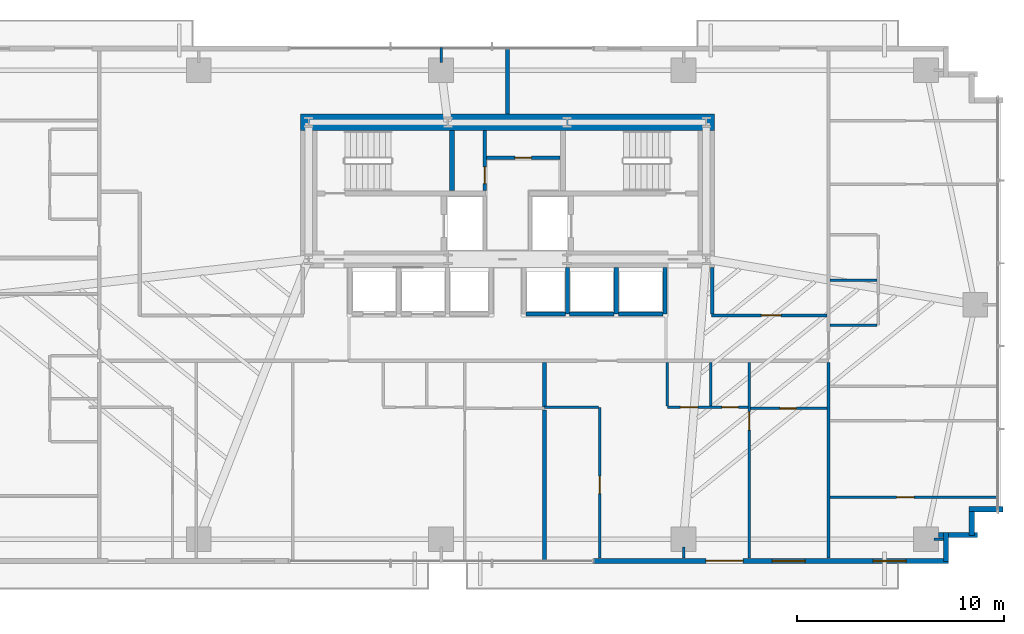
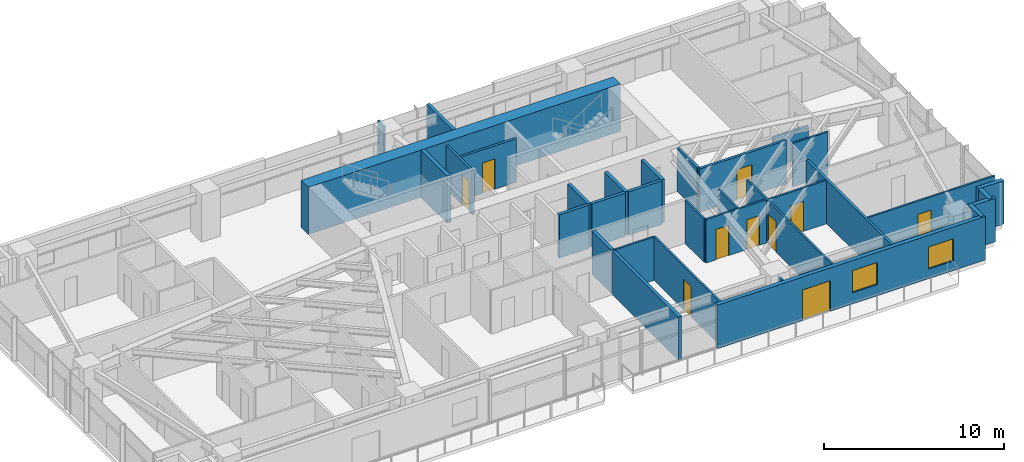
# One storey, part 21 of 25: 34 walls, 10 doors, 2 windows, 12 openings.
"""IFC4 building model written with IfcOpenShell, lengths in metres."""

from ifc_helpers import new_model, si_unit, direction, frame, frame_2d, origin, place, context, subcontext, project, spatial, rectangle, extrude, source, transform, mapped, material, layer, layer_set, type_object, type_shapes, element, fill, save


model = new_model("IFC4")

# Units and contexts
model_context = context("Model", 3, precision=1e-05, world=origin(), true_north=direction((0.0, 1.0)))
body_context = subcontext(model_context, "Body", "Model", "MODEL_VIEW")
ifc_project = project(units=[si_unit("LENGTHUNIT", "METRE"), si_unit("AREAUNIT", "SQUARE_METRE"), si_unit("VOLUMEUNIT", "CUBIC_METRE"), si_unit("PLANEANGLEUNIT", "RADIAN"), si_unit("MASSUNIT", "GRAM", prefix="KILO")], contexts=[model_context])

# Site, building, storey
site_placement = place(None, origin())
site = spatial("IfcSite", under=ifc_project, at=site_placement, CompositionType="ELEMENT")
building_placement = place(site_placement, origin())
building = spatial("IfcBuilding", under=site, at=building_placement, Name="Astriad Promenade Condominiums", CompositionType="ELEMENT")
storey_placement = place(building_placement, frame((0.0, 0.0, 35.800048828125)))
storey = spatial("IfcBuildingStorey", under=building, at=storey_placement, Name="L09", CompositionType="ELEMENT", Elevation=35.800048828125)

# Walls
ifc_material_1 = material(Name="Concrete C80/95", Category="concrete")
ifc_layer_1 = layer(ifc_material_1, 0.800048828125)
ifc_layer_set_1 = layer_set([ifc_layer_1], Name="Concrete C80/95")
wall_type_1 = type_object("IfcWallType", Name="CW-SHEAR-800", PredefinedType="SHEAR", material=ifc_layer_set_1)
wall_1_placement = place(storey_placement, frame((26.0, 24.0, 0.0), z_axis=(0.0, 0.0, 1.0), x_axis=(1.0, 0.0, 0.0)))
element("IfcWall", 1, at=wall_1_placement, inside=storey, type_object=wall_type_1, Name="CW-CORE-N-L09", PredefinedType="SHEAR", context=body_context, shape_type="SweptSolid", body=[
    extrude(rectangle(XDim=20.0, YDim=0.800048828125, at=frame_2d((10.0, 0.0))), origin(), (0.0, 0.0, 1.0), 3.199951171875),
])
ifc_material_2 = material(Name="Concrete C50/60", Category="concrete")
ifc_layer_2 = layer(ifc_material_2, 0.25)
ifc_layer_set_2 = layer_set([ifc_layer_2], Name="Concrete C50/60")
wall_type_2 = type_object("IfcWallType", Name="WALL-CORE-INT-250", PredefinedType="SOLIDWALL", material=ifc_layer_set_2)
wall_2_placement = place(storey_placement, frame((33.324951171875, 20.701904296875, 0.0), z_axis=(0.0, 0.0, 1.0), x_axis=(0.0, 1.0, 0.0)))
element("IfcWall", 2, at=wall_2_placement, inside=storey, type_object=wall_type_2, Name="CW-ST1-E-L09", PredefinedType="SOLIDWALL", context=body_context, shape_type="SweptSolid", body=[
    extrude(rectangle(XDim=2.89599609375, YDim=0.25, at=frame_2d((1.447998046875, 0.0))), origin(), (0.0, 0.0, 1.0), 3.199951171875),
])

# Wall, opening, door
ifc_material_3 = material(Name="Fire-Rated Gypsum Partition")
ifc_layer_3 = layer(ifc_material_3, 0.159912109375)
ifc_layer_set_3 = layer_set([ifc_layer_3], Name="Fire-Rated Gypsum Partition")
wall_type_3 = type_object("IfcWallType", Name="WALL-CORR-160", PredefinedType="PARTITIONING", material=ifc_layer_set_3)
wall_3_placement = place(storey_placement, frame((34.89990234375, 20.701904296875, 0.0), z_axis=(0.0, 0.0, 1.0), x_axis=(0.0, 1.0, 0.0)))
wall_3 = element("IfcWall", 3, at=wall_3_placement, inside=storey, type_object=wall_type_3, Name="CW-AUX-W-L09", PredefinedType="PARTITIONING", context=body_context, shape_type="SweptSolid", body=[
    extrude(rectangle(XDim=2.89599609375, YDim=0.159912109375, at=frame_2d((1.447998046875, 0.0))), origin(), (0.0, 0.0, 1.0), 2.93994140625),
])
opening_1_placement = place(wall_3_placement, frame((0.347900390625, 0.0, 0.0)))
opening_1 = element("IfcOpeningElement", 4, at=opening_1_placement, cuts=wall_3, Name="Opening FD60-SV-080", PredefinedType="OPENING", context=body_context, shape_type="SweptSolid", body=[
    extrude(rectangle(XDim=0.800048828125, YDim=2.050048828125, at=frame_2d((0.39990234375, 1.02490234375))), frame((0.0, 0.08984375, 0.0), z_axis=(0.0, -1.0, 0.0), x_axis=(1.0, 0.0, 0.0)), (0.0, 0.0, 1.0), 0.179931640625),
])
ifc_material_4 = material(Name="Fire-Rated Riser Closet Door")
door_type_1 = type_object("IfcDoorType", Name="FD60-SV-080", OperationType="NOTDEFINED", PredefinedType="DOOR", material=ifc_material_4)
shared_shape_1 = source(origin(), body_context, "Body", "SweptSolid", [
    extrude(rectangle(XDim=0.800048828125, YDim=2.050048828125, at=frame_2d((0.39990234375, 1.02490234375))), frame((0.0, 0.02490234375, 0.0), z_axis=(0.0, -1.0, 0.0), x_axis=(1.0, 0.0, 0.0)), (0.0, 0.0, 1.0), 0.050048828125),
])
type_shapes(door_type_1, [shared_shape_1])
door_1_placement = place(opening_1_placement, origin())
door_1 = element("IfcDoor", 5, at=door_1_placement, inside=storey, type_object=door_type_1, Name="D-AUX1-L09", OperationType="SINGLE_SWING_LEFT", OverallHeight=2.050048828125, OverallWidth=0.800048828125, PredefinedType="DOOR", context=body_context, shape_type="MappedRepresentation", body=[
    mapped(shared_shape_1, transform((0.0, 0.0, 0.0), scale=1.0)),
])
fill(opening_1, door_1)

wall_4_placement = place(storey_placement, frame((34.98193359375, 22.300048828125, 0.0), z_axis=(0.0, 0.0, 1.0), x_axis=(1.0, 0.0, 0.0)))
wall_4 = element("IfcWall", 6, at=wall_4_placement, inside=storey, type_object=wall_type_3, Name="CW-AUX-N-L09", PredefinedType="PARTITIONING", context=body_context, shape_type="SweptSolid", body=[
    extrude(rectangle(XDim=3.566162109375, YDim=0.159912109375, at=frame_2d((1.783203125, 0.0))), origin(), (0.0, 0.0, 1.0), 2.93994140625),
])
opening_2_placement = place(wall_4_placement, frame((1.3779296875, 0.0, 0.0)))
opening_2 = element("IfcOpeningElement", 7, at=opening_2_placement, cuts=wall_4, Name="Opening FD60-SV-080", PredefinedType="OPENING", context=body_context, shape_type="SweptSolid", body=[
    extrude(rectangle(XDim=0.800048828125, YDim=2.050048828125, at=frame_2d((0.39990234375, 1.02490234375))), frame((0.0, 0.08984375, 0.0), z_axis=(0.0, -1.0, 0.0), x_axis=(1.0, 0.0, 0.0)), (0.0, 0.0, 1.0), 0.179931640625),
])
door_2_placement = place(opening_2_placement, origin())
door_2 = element("IfcDoor", 8, at=door_2_placement, inside=storey, type_object=door_type_1, Name="D-AUX2-L09", OperationType="SINGLE_SWING_RIGHT", OverallHeight=2.050048828125, OverallWidth=0.800048828125, PredefinedType="DOOR", context=body_context, shape_type="MappedRepresentation", body=[
    mapped(shared_shape_1, transform((0.0, 0.0, 0.0), scale=1.0)),
])
fill(opening_2, door_2)

# Wall
wall_5_placement = place(storey_placement, frame((51.5, 2.9619140625, 0.0), z_axis=(0.0, 0.0, 1.0), x_axis=(0.0, 1.0, 0.0)))
element("IfcWall", 9, at=wall_5_placement, inside=storey, type_object=wall_type_3, Name="PT-COR-E-L09", PredefinedType="PARTITIONING", context=body_context, shape_type="SweptSolid", body=[
    extrude(rectangle(XDim=9.446044921875, YDim=0.159912109375, at=frame_2d((4.72314453125, 0.0))), origin(), (0.0, 0.0, 1.0), 2.93994140625),
])

# Wall, opening, door
wall_6_placement = place(storey_placement, frame((45.840087890625, 14.679931640625, 0.0), z_axis=(0.0, 0.0, 1.0), x_axis=(1.0, 0.0, 0.0)))
wall_6 = element("IfcWall", 10, at=wall_6_placement, inside=storey, type_object=wall_type_3, Name="PT-FLK-NE-L09", PredefinedType="PARTITIONING", context=body_context, shape_type="SweptSolid", body=[
    extrude(rectangle(XDim=5.577880859375, YDim=0.159912109375, at=frame_2d((2.7890625, 0.0))), origin(), (0.0, 0.0, 1.0), 2.93994140625),
])
opening_3_placement = place(wall_6_placement, frame((2.4150390625, 0.0, 0.0)))
opening_3 = element("IfcOpeningElement", 11, at=opening_3_placement, cuts=wall_6, Name="Opening FD60-APT-095", PredefinedType="OPENING", context=body_context, shape_type="SweptSolid", body=[
    extrude(rectangle(XDim=0.949951171875, YDim=2.06005859375, at=frame_2d((0.47509765625, 1.030029296875))), frame((0.0, 0.08984375, 0.0), z_axis=(0.0, -1.0, 0.0), x_axis=(1.0, 0.0, 0.0)), (0.0, 0.0, 1.0), 0.179931640625),
])
ifc_material_5 = material(Name="Solid-Core Acoustic Timber Residence Entry Door", Category="wood")
door_type_2 = type_object("IfcDoorType", Name="FD60-APT-095", OperationType="NOTDEFINED", PredefinedType="DOOR", material=ifc_material_5)
shared_shape_2 = source(origin(), body_context, "Body", "SweptSolid", [
    extrude(rectangle(XDim=0.949951171875, YDim=2.06005859375, at=frame_2d((0.47509765625, 1.030029296875))), frame((0.0, 0.02490234375, 0.0), z_axis=(0.0, -1.0, 0.0), x_axis=(1.0, 0.0, 0.0)), (0.0, 0.0, 1.0), 0.050048828125),
])
type_shapes(door_type_2, [shared_shape_2])
door_3_placement = place(opening_3_placement, origin())
door_3 = element("IfcDoor", 12, at=door_3_placement, inside=storey, type_object=door_type_2, Name="D-NEA-L09", OperationType="SINGLE_SWING_RIGHT", OverallHeight=2.06005859375, OverallWidth=0.949951171875, PredefinedType="DOOR", context=body_context, shape_type="MappedRepresentation", body=[
    mapped(shared_shape_2, transform((0.0, 0.0, 0.0), scale=1.0)),
])
fill(opening_3, door_3)

# Walls
wall_7_placement = place(storey_placement, frame((45.8798828125, 14.761962890625, 0.0), z_axis=(0.0, 0.0, 1.0), x_axis=(0.0, 1.0, 0.0)))
element("IfcWall", 13, at=wall_7_placement, inside=storey, type_object=wall_type_3, Name="PT-ESPUR-E-L09", PredefinedType="PARTITIONING", context=body_context, shape_type="SweptSolid", body=[
    extrude(rectangle(XDim=2.236083984375, YDim=0.159912109375, at=frame_2d((1.1181640625, 0.0))), origin(), (0.0, 0.0, 1.0), 2.93994140625),
])
ifc_material_6 = material(Name="Acoustic Double-Stud Gypsum Partition")
ifc_layer_4 = layer(ifc_material_6, 0.199951171875)
ifc_layer_set_4 = layer_set([ifc_layer_4], Name="Acoustic Double-Stud Gypsum Partition")
wall_type_4 = type_object("IfcWallType", Name="WALL-DEMISING-200", PredefinedType="PARTITIONING", material=ifc_layer_set_4)
wall_8_placement = place(storey_placement, frame((36.0, 24.402099609375, 0.0), z_axis=(0.0, 0.0, 1.0), x_axis=(0.0, 1.0, 0.0)))
element("IfcWall", 14, at=wall_8_placement, inside=storey, type_object=wall_type_4, Name="PT-NC-MID-L09", PredefinedType="PARTITIONING", context=body_context, shape_type="SweptSolid", body=[
    extrude(rectangle(XDim=3.218017578125, YDim=0.199951171875, at=frame_2d((1.60888671875, 0.0))), origin(), (0.0, 0.0, 1.0), 2.93994140625),
])
wall_9_placement = place(storey_placement, frame((37.7939453125, 2.780029296875, 0.0), z_axis=(0.0, 0.0, 1.0), x_axis=(0.0, 1.0, 0.0)))
element("IfcWall", 15, at=wall_9_placement, inside=storey, type_object=wall_type_4, Name="PT-DEM-S1-L09", PredefinedType="PARTITIONING", context=body_context, shape_type="SweptSolid", body=[
    extrude(rectangle(XDim=7.347900390625, YDim=0.199951171875, at=frame_2d((3.673828125, 0.0))), origin(), (0.0, 0.0, 1.0), 2.93994140625),
])
wall_10_placement = place(storey_placement, frame((37.7939453125, 10.251953125, 0.0), z_axis=(0.0, 0.0, 1.0), x_axis=(0.0, 1.0, 0.0)))
element("IfcWall", 16, at=wall_10_placement, inside=storey, type_object=wall_type_4, Name="PT-DEM-S1-L09-S2", PredefinedType="PARTITIONING", context=body_context, shape_type="SweptSolid", body=[
    extrude(rectangle(XDim=2.156005859375, YDim=0.199951171875, at=frame_2d((1.078125, 0.0))), origin(), (0.0, 0.0, 1.0), 2.93994140625),
])
ifc_material_7 = material(Name="Precast concrete C50/60", Category="concrete")
ifc_layer_5 = layer(ifc_material_7, 0.260009765625)
ifc_layer_set_5 = layer_set([ifc_layer_5], Name="Precast concrete C50/60")
wall_type_5 = type_object("IfcWallType", Name="WALL-EXT-TWR-260", PredefinedType="STANDARD", material=ifc_layer_set_5)
wall_11_placement = place(storey_placement, frame((59.929931640625, 5.330078125, 0.0), z_axis=(0.0, 0.0, 1.0), x_axis=(-1.0, 0.0, 0.0)))
element("IfcWall", 17, at=wall_11_placement, inside=storey, type_object=wall_type_5, Name="W-SER-L09-14", PredefinedType="STANDARD", context=body_context, shape_type="SweptSolid", body=[
    extrude(rectangle(XDim=1.639892578125, YDim=0.260009765625, at=frame_2d((0.81982421875, 0.0))), origin(), (0.0, 0.0, 1.0), 2.93994140625),
])
wall_12_placement = place(storey_placement, frame((58.419921875, 5.215087890625, 0.0), z_axis=(0.0, 0.0, 1.0), x_axis=(0.0, -1.0, 0.0)))
element("IfcWall", 18, at=wall_12_placement, inside=storey, type_object=wall_type_5, Name="W-SER-L09-15", PredefinedType="STANDARD", context=body_context, shape_type="SweptSolid", body=[
    extrude(rectangle(XDim=1.150146484375, YDim=0.260009765625, at=frame_2d((0.5751953125, 0.0))), origin(), (0.0, 0.0, 1.0), 2.93994140625),
])
wall_13_placement = place(storey_placement, frame((58.679931640625, 4.080078125, 0.0), z_axis=(0.0, 0.0, 1.0), x_axis=(-1.0, 0.0, 0.0)))
element("IfcWall", 19, at=wall_13_placement, inside=storey, type_object=wall_type_5, Name="W-SER-L09-16", PredefinedType="STANDARD", context=body_context, shape_type="SweptSolid", body=[
    extrude(rectangle(XDim=1.8779296875, YDim=0.260009765625, at=frame_2d((0.93896484375, 0.0))), origin(), (0.0, 0.0, 1.0), 2.93994140625),
])
wall_14_placement = place(storey_placement, frame((57.169921875, 4.2099609375, 0.0), z_axis=(0.0, 0.0, 1.0), x_axis=(0.0, -1.0, 0.0)))
element("IfcWall", 20, at=wall_14_placement, inside=storey, type_object=wall_type_5, Name="W-SER-L09-17", PredefinedType="STANDARD", context=body_context, shape_type="SweptSolid", body=[
    extrude(rectangle(XDim=1.39501953125, YDim=0.260009765625, at=frame_2d((0.697509765625, 0.0))), origin(), (0.0, 0.0, 1.0), 2.93994140625),
])

# Wall, openings, door, windows
wall_15_placement = place(storey_placement, frame((57.300048828125, 2.830078125, 0.0), z_axis=(0.0, 0.0, 1.0), x_axis=(-1.0, 0.0, 0.0)))
wall_15 = element("IfcWall", 21, at=wall_15_placement, inside=storey, type_object=wall_type_5, Name="W-EXT-L09-S1", PredefinedType="STANDARD", context=body_context, shape_type="SweptSolid", body=[
    extrude(rectangle(XDim=17.150146484375, YDim=0.260009765625, at=frame_2d((8.5751953125, 0.0))), origin(), (0.0, 0.0, 1.0), 2.93994140625),
])
opening_4_placement = place(wall_15_placement, frame((9.924072265625, 0.0, 0.0)))
opening_4 = element("IfcOpeningElement", 22, at=opening_4_placement, cuts=wall_15, Name="Opening BD-1822-SLD", PredefinedType="OPENING", context=body_context, shape_type="SweptSolid", body=[
    extrude(rectangle(XDim=1.800048828125, YDim=2.06005859375, at=frame_2d((0.89990234375, 1.030029296875))), frame((0.0, 0.139892578125, 0.0), z_axis=(0.0, -1.0, 0.0), x_axis=(1.0, 0.0, 0.0)), (0.0, 0.0, 1.0), 0.280029296875),
])
opening_5_placement = place(wall_15_placement, frame((2.050048828125, 0.0, 0.64990234375)))
opening_5 = element("IfcOpeningElement", 23, at=opening_5_placement, cuts=wall_15, Name="Opening WIN-TWR-1620", PredefinedType="OPENING", context=body_context, shape_type="SweptSolid", body=[
    extrude(rectangle(XDim=1.60009765625, YDim=1.5, at=frame_2d((0.800048828125, 0.75))), frame((0.0, 0.139892578125, 0.0), z_axis=(0.0, -1.0, 0.0), x_axis=(1.0, 0.0, 0.0)), (0.0, 0.0, 1.0), 0.280029296875),
])
opening_6_placement = place(wall_15_placement, frame((6.925048828125, 0.0, 0.75)))
opening_6 = element("IfcOpeningElement", 24, at=opening_6_placement, cuts=wall_15, Name="Opening WIN-TWR-1620", PredefinedType="OPENING", context=body_context, shape_type="SweptSolid", body=[
    extrude(rectangle(XDim=1.60009765625, YDim=1.5, at=frame_2d((0.800048828125, 0.75))), frame((0.0, 0.139892578125, 0.0), z_axis=(0.0, -1.0, 0.0), x_axis=(1.0, 0.0, 0.0)), (0.0, 0.0, 1.0), 0.280029296875),
])
ifc_material_8 = material(Name="Thermally Broken Aluminium Sliding Balcony Door", Category="aluminium")
door_type_3 = type_object("IfcDoorType", Name="BD-1822-SLD", OperationType="NOTDEFINED", PredefinedType="DOOR", material=ifc_material_8)
shared_shape_3 = source(origin(), body_context, "Body", "SweptSolid", [
    extrude(rectangle(XDim=1.800048828125, YDim=2.06005859375, at=frame_2d((0.89990234375, 1.030029296875))), frame((0.0, 0.02490234375, 0.0), z_axis=(0.0, -1.0, 0.0), x_axis=(1.0, 0.0, 0.0)), (0.0, 0.0, 1.0), 0.050048828125),
])
type_shapes(door_type_3, [shared_shape_3])
door_4_placement = place(opening_4_placement, origin())
door_4 = element("IfcDoor", 25, at=door_4_placement, inside=storey, type_object=door_type_3, Name="BD-L09-SE", OperationType="SLIDING_TO_RIGHT", OverallHeight=2.06005859375, OverallWidth=1.800048828125, PredefinedType="DOOR", context=body_context, shape_type="MappedRepresentation", body=[
    mapped(shared_shape_3, transform((0.0, 0.0, 0.0), scale=1.0)),
])
fill(opening_4, door_4)
ifc_material_9 = material(Name="Dark Tinted Triple-Glazed Aluminium Window", Category="aluminium")
window_type = type_object("IfcWindowType", Name="WIN-TWR-1620", PartitioningType="SINGLE_PANEL", PredefinedType="WINDOW", material=ifc_material_9)
shared_shape_4 = source(origin(), body_context, "Body", "SweptSolid", [
    extrude(rectangle(XDim=1.60009765625, YDim=1.5, at=frame_2d((0.800048828125, 0.75))), frame((0.0, 0.030029296875, 0.0), z_axis=(0.0, -1.0, 0.0), x_axis=(1.0, 0.0, 0.0)), (0.0, 0.0, 1.0), 0.06005859375),
])
type_shapes(window_type, [shared_shape_4])
window_1_placement = place(opening_5_placement, origin())
window_1 = element("IfcWindow", 26, at=window_1_placement, inside=storey, type_object=window_type, Name="WIN-L09-SE", OverallHeight=1.5, OverallWidth=1.60009765625, PartitioningType="SINGLE_PANEL", PredefinedType="WINDOW", context=body_context, shape_type="MappedRepresentation", body=[
    mapped(shared_shape_4, transform((0.0, 0.0, 0.0), scale=1.0)),
])
fill(opening_5, window_1)
window_2_placement = place(opening_6_placement, origin())
window_2 = element("IfcWindow", 27, at=window_2_placement, inside=storey, type_object=window_type, Name="WIN-DW-L09-S2-BD1", OverallHeight=1.5, OverallWidth=1.60009765625, PartitioningType="SINGLE_PANEL", PredefinedType="WINDOW", context=body_context, shape_type="MappedRepresentation", body=[
    mapped(shared_shape_4, transform((0.0, 0.0, 0.0), scale=1.0)),
])
fill(opening_6, window_2)

# Wall, opening, door
ifc_material_10 = material(Name="Acoustic Metal-Stud Gypsum Partition")
ifc_layer_6 = layer(ifc_material_10, 0.1201171875)
ifc_layer_set_6 = layer_set([ifc_layer_6], Name="Acoustic Metal-Stud Gypsum Partition")
wall_type_6 = type_object("IfcWallType", Name="WALL-PART-120", PredefinedType="PARTITIONING", material=ifc_layer_set_6)
wall_16_placement = place(storey_placement, frame((47.669921875, 2.9619140625, 0.0), z_axis=(0.0, 0.0, 1.0), x_axis=(0.0, 1.0, 0.0)))
wall_16 = element("IfcWall", 28, at=wall_16_placement, inside=storey, type_object=wall_type_6, Name="PT-L09-S2-BD1", PredefinedType="PARTITIONING", context=body_context, shape_type="SweptSolid", body=[
    extrude(rectangle(XDim=9.446044921875, YDim=0.1201171875, at=frame_2d((4.72314453125, 0.0))), origin(), (0.0, 0.0, 1.0), 2.93994140625),
])
opening_7_placement = place(wall_16_placement, frame((6.177978515625, 0.0, 0.0)))
opening_7 = element("IfcOpeningElement", 29, at=opening_7_placement, cuts=wall_16, Name="Opening D-INT-090", PredefinedType="OPENING", context=body_context, shape_type="SweptSolid", body=[
    extrude(rectangle(XDim=0.89990234375, YDim=2.050048828125, at=frame_2d((0.449951171875, 1.02490234375))), frame((0.0, 0.070068359375, 0.0), z_axis=(0.0, -1.0, 0.0), x_axis=(1.0, 0.0, 0.0)), (0.0, 0.0, 1.0), 0.14013671875),
])
ifc_material_11 = material(Name="Painted Solid-Core Timber Bedroom Door", Category="wood")
door_type_4 = type_object("IfcDoorType", Name="D-INT-090", OperationType="NOTDEFINED", PredefinedType="DOOR", material=ifc_material_11)
shared_shape_5 = source(origin(), body_context, "Body", "SweptSolid", [
    extrude(rectangle(XDim=0.89990234375, YDim=2.050048828125, at=frame_2d((0.449951171875, 1.02490234375))), frame((0.0, 0.02490234375, 0.0), z_axis=(0.0, -1.0, 0.0), x_axis=(1.0, 0.0, 0.0)), (0.0, 0.0, 1.0), 0.050048828125),
])
type_shapes(door_type_4, [shared_shape_5])
door_5_placement = place(opening_7_placement, origin())
door_5 = element("IfcDoor", 30, at=door_5_placement, inside=storey, type_object=door_type_4, Name="D-BD1-L09-S2", OperationType="SINGLE_SWING_RIGHT", OverallHeight=2.050048828125, OverallWidth=0.89990234375, PredefinedType="DOOR", context=body_context, shape_type="MappedRepresentation", body=[
    mapped(shared_shape_5, transform((0.0, 0.0, 0.0), scale=1.0)),
])
fill(opening_7, door_5)

# Wall, openings, doors
wall_17_placement = place(storey_placement, frame((43.719970703125, 10.239990234375, 0.0), z_axis=(0.0, 0.0, 1.0), x_axis=(1.0, 0.0, 0.0)))
wall_17 = element("IfcWall", 31, at=wall_17_placement, inside=storey, type_object=wall_type_6, Name="PT-L09-S2-PS", PredefinedType="PARTITIONING", context=body_context, shape_type="SweptSolid", body=[
    extrude(rectangle(XDim=3.887939453125, YDim=0.1201171875, at=frame_2d((1.94384765625, 0.0))), origin(), (0.0, 0.0, 1.0), 2.93994140625),
])
opening_8_placement = place(wall_17_placement, frame((0.625, 0.0, 0.0)))
opening_8 = element("IfcOpeningElement", 32, at=opening_8_placement, cuts=wall_17, Name="Opening D-INT-085", PredefinedType="OPENING", context=body_context, shape_type="SweptSolid", body=[
    extrude(rectangle(XDim=0.85009765625, YDim=2.050048828125, at=frame_2d((0.425048828125, 1.02490234375))), frame((0.0, 0.070068359375, 0.0), z_axis=(0.0, -1.0, 0.0), x_axis=(1.0, 0.0, 0.0)), (0.0, 0.0, 1.0), 0.14013671875),
])
opening_9_placement = place(wall_17_placement, frame((2.625, 0.0, 0.0)))
opening_9 = element("IfcOpeningElement", 33, at=opening_9_placement, cuts=wall_17, Name="Opening D-WET-080", PredefinedType="OPENING", context=body_context, shape_type="SweptSolid", body=[
    extrude(rectangle(XDim=0.800048828125, YDim=2.02001953125, at=frame_2d((0.39990234375, 1.010009765625))), frame((0.0, 0.070068359375, 0.0), z_axis=(0.0, -1.0, 0.0), x_axis=(1.0, 0.0, 0.0)), (0.0, 0.0, 1.0), 0.14013671875),
])
ifc_material_12 = material(Name="Moisture-Resistant Timber Bathroom Door", Category="wood")
door_type_5 = type_object("IfcDoorType", Name="D-WET-080", OperationType="NOTDEFINED", PredefinedType="DOOR", material=ifc_material_12)
shared_shape_6 = source(origin(), body_context, "Body", "SweptSolid", [
    extrude(rectangle(XDim=0.800048828125, YDim=2.02001953125, at=frame_2d((0.39990234375, 1.010009765625))), frame((0.0, 0.02490234375, 0.0), z_axis=(0.0, -1.0, 0.0), x_axis=(1.0, 0.0, 0.0)), (0.0, 0.0, 1.0), 0.050048828125),
])
type_shapes(door_type_5, [shared_shape_6])
door_6_placement = place(opening_9_placement, origin())
door_6 = element("IfcDoor", 34, at=door_6_placement, inside=storey, type_object=door_type_5, Name="D-BTH-L09-S2", OperationType="SINGLE_SWING_RIGHT", OverallHeight=2.02001953125, OverallWidth=0.800048828125, PredefinedType="DOOR", context=body_context, shape_type="MappedRepresentation", body=[
    mapped(shared_shape_6, transform((0.0, 0.0, 0.0), scale=1.0)),
])
fill(opening_9, door_6)
ifc_material_13 = material(Name="Painted Solid-Core Timber Room Door", Category="wood")
door_type_6 = type_object("IfcDoorType", Name="D-INT-085", OperationType="NOTDEFINED", PredefinedType="DOOR", material=ifc_material_13)
shared_shape_7 = source(origin(), body_context, "Body", "SweptSolid", [
    extrude(rectangle(XDim=0.85009765625, YDim=2.050048828125, at=frame_2d((0.425048828125, 1.02490234375))), frame((0.0, 0.02490234375, 0.0), z_axis=(0.0, -1.0, 0.0), x_axis=(1.0, 0.0, 0.0)), (0.0, 0.0, 1.0), 0.050048828125),
])
type_shapes(door_type_6, [shared_shape_7])
door_7_placement = place(opening_8_placement, origin())
door_7 = element("IfcDoor", 35, at=door_7_placement, inside=storey, type_object=door_type_6, Name="D-KIT-L09-S2", OperationType="SINGLE_SWING_LEFT", OverallHeight=2.050048828125, OverallWidth=0.85009765625, PredefinedType="DOOR", context=body_context, shape_type="MappedRepresentation", body=[
    mapped(shared_shape_7, transform((0.0, 0.0, 0.0), scale=1.0)),
])
fill(opening_8, door_7)

# Walls
for number, where, z_axis, x_axis, name in (
    (36, (45.820068359375, 10.302001953125, 0.0), (0.0, 0.0, 1.0), (0.0, 1.0, 0.0), "PT-L09-S2-PBK"),
    (37, (43.719970703125, 10.302001953125, 0.0), (0.0, 0.0, 1.0), (0.0, 1.0, 0.0), "PT-L09-S2-PKW"),
):
    element("IfcWall", number, at=place(storey_placement, frame(where, z_axis=z_axis, x_axis=x_axis)), inside=storey, type_object=wall_type_6, Name=name, PredefinedType="PARTITIONING", context=body_context, shape_type="SweptSolid", body=[
        extrude(rectangle(XDim=2.10595703125, YDim=0.1201171875, at=frame_2d((1.052978515625, 0.0))), origin(), (0.0, 0.0, 1.0), 2.93994140625),
    ])

# Wall, opening, door
wall_18_placement = place(storey_placement, frame((47.73193359375, 10.18994140625, 0.0), z_axis=(0.0, 0.0, 1.0), x_axis=(1.0, 0.0, 0.0)))
wall_18 = element("IfcWall", 38, at=wall_18_placement, inside=storey, type_object=wall_type_6, Name="PT-L09-S2-ENS", PredefinedType="PARTITIONING", context=body_context, shape_type="SweptSolid", body=[
    extrude(rectangle(XDim=3.68603515625, YDim=0.1201171875, at=frame_2d((1.843017578125, 0.0))), origin(), (0.0, 0.0, 1.0), 2.93994140625),
])
opening_10_placement = place(wall_18_placement, frame((1.4130859375, 0.0, 0.0)))
opening_10 = element("IfcOpeningElement", 39, at=opening_10_placement, cuts=wall_18, Name="Opening D-WET-080", PredefinedType="OPENING", context=body_context, shape_type="SweptSolid", body=[
    extrude(rectangle(XDim=0.800048828125, YDim=2.02001953125, at=frame_2d((0.39990234375, 1.010009765625))), frame((0.0, 0.070068359375, 0.0), z_axis=(0.0, -1.0, 0.0), x_axis=(1.0, 0.0, 0.0)), (0.0, 0.0, 1.0), 0.14013671875),
])
door_8_placement = place(opening_10_placement, origin())
door_8 = element("IfcDoor", 40, at=door_8_placement, inside=storey, type_object=door_type_5, Name="D-ENS-L09-S2", OperationType="SINGLE_SWING_LEFT", OverallHeight=2.02001953125, OverallWidth=0.800048828125, PredefinedType="DOOR", context=body_context, shape_type="MappedRepresentation", body=[
    mapped(shared_shape_6, transform((0.0, 0.0, 0.0), scale=1.0)),
])
fill(opening_10, door_8)

wall_19_placement = place(storey_placement, frame((40.45703125, 2.9619140625, 0.0), z_axis=(0.0, 0.0, 1.0), x_axis=(0.0, 1.0, 0.0)))
wall_19 = element("IfcWall", 41, at=wall_19_placement, inside=storey, type_object=wall_type_6, Name="PT-L09-S2-EXV", PredefinedType="PARTITIONING", context=body_context, shape_type="SweptSolid", body=[
    extrude(rectangle(XDim=7.278076171875, YDim=0.1201171875, at=frame_2d((3.63916015625, 0.0))), origin(), (0.0, 0.0, 1.0), 2.93994140625),
])
opening_11_placement = place(wall_19_placement, frame((3.113037109375, 0.0, 0.0)))
opening_11 = element("IfcOpeningElement", 42, at=opening_11_placement, cuts=wall_19, Name="Opening D-INT-085", PredefinedType="OPENING", context=body_context, shape_type="SweptSolid", body=[
    extrude(rectangle(XDim=0.85009765625, YDim=2.050048828125, at=frame_2d((0.425048828125, 1.02490234375))), frame((0.0, 0.070068359375, 0.0), z_axis=(0.0, -1.0, 0.0), x_axis=(1.0, 0.0, 0.0)), (0.0, 0.0, 1.0), 0.14013671875),
])
door_9_placement = place(opening_11_placement, origin())
door_9 = element("IfcDoor", 43, at=door_9_placement, inside=storey, type_object=door_type_6, Name="D-EX-L09-S2", OperationType="SINGLE_SWING_RIGHT", OverallHeight=2.050048828125, OverallWidth=0.85009765625, PredefinedType="DOOR", context=body_context, shape_type="MappedRepresentation", body=[
    mapped(shared_shape_7, transform((0.0, 0.0, 0.0), scale=1.0)),
])
fill(opening_11, door_9)

# Walls
wall_20_placement = place(storey_placement, frame((37.7939453125, 10.239990234375, 0.0), z_axis=(0.0, 0.0, 1.0), x_axis=(1.0, 0.0, 0.0)))
element("IfcWall", 44, at=wall_20_placement, inside=storey, type_object=wall_type_6, Name="PT-L09-S2-EXH", PredefinedType="PARTITIONING", context=body_context, shape_type="SweptSolid", body=[
    extrude(rectangle(XDim=2.60107421875, YDim=0.1201171875, at=frame_2d((1.300537109375, 0.0))), origin(), (0.0, 0.0, 1.0), 2.93994140625),
])
wall_21_placement = place(storey_placement, frame((51.58203125, 16.39208984375, 0.0), z_axis=(0.0, 0.0, 1.0), x_axis=(1.0, 0.0, 0.0)))
element("IfcWall", 45, at=wall_21_placement, inside=storey, type_object=wall_type_6, Name="PT-L09-E1-PM", PredefinedType="PARTITIONING", context=body_context, shape_type="SweptSolid", body=[
    extrude(rectangle(XDim=2.255859375, YDim=0.1201171875, at=frame_2d((1.1279296875, 0.0))), origin(), (0.0, 0.0, 1.0), 2.044921875),
])
wall_22_placement = place(storey_placement, frame((51.58203125, 14.217041015625, 0.0), z_axis=(0.0, 0.0, 1.0), x_axis=(1.0, 0.0, 0.0)))
element("IfcWall", 46, at=wall_22_placement, inside=storey, type_object=wall_type_6, Name="PT-L09-E1-PS", PredefinedType="PARTITIONING", context=body_context, shape_type="SweptSolid", body=[
    extrude(rectangle(XDim=2.255859375, YDim=0.1201171875, at=frame_2d((1.1279296875, 0.0))), origin(), (0.0, 0.0, 1.0), 2.93994140625),
])

# Wall, opening, door
wall_23_placement = place(storey_placement, frame((51.58203125, 5.909912109375, 0.0), z_axis=(0.0, 0.0, 1.0), x_axis=(1.0, 0.0, 0.0)))
wall_23 = element("IfcWall", 47, at=wall_23_placement, inside=storey, type_object=wall_type_6, Name="PT-L09-E1-B2", PredefinedType="PARTITIONING", context=body_context, shape_type="SweptSolid", body=[
    extrude(rectangle(XDim=8.137939453125, YDim=0.1201171875, at=frame_2d((4.06884765625, 0.0))), origin(), (0.0, 0.0, 1.0), 2.93994140625),
])
opening_12_placement = place(wall_23_placement, frame((3.202880859375, 0.0, 0.0)))
opening_12 = element("IfcOpeningElement", 48, at=opening_12_placement, cuts=wall_23, Name="Opening D-INT-085", PredefinedType="OPENING", context=body_context, shape_type="SweptSolid", body=[
    extrude(rectangle(XDim=0.85009765625, YDim=2.050048828125, at=frame_2d((0.425048828125, 1.02490234375))), frame((0.0, 0.070068359375, 0.0), z_axis=(0.0, -1.0, 0.0), x_axis=(1.0, 0.0, 0.0)), (0.0, 0.0, 1.0), 0.14013671875),
])
door_10_placement = place(opening_12_placement, origin())
door_10 = element("IfcDoor", 49, at=door_10_placement, inside=storey, type_object=door_type_6, Name="D-BD2-L09-E1", OperationType="SINGLE_SWING_LEFT", OverallHeight=2.050048828125, OverallWidth=0.85009765625, PredefinedType="DOOR", context=body_context, shape_type="MappedRepresentation", body=[
    mapped(shared_shape_7, transform((0.0, 0.0, 0.0), scale=1.0)),
])
fill(opening_12, door_10)

# Walls
wall_24_placement = place(storey_placement, frame((44.5, 3.5, 0.0), z_axis=(0.0, 0.0, 1.0), x_axis=(0.0, -1.0, 0.0)))
element("IfcWall", 50, at=wall_24_placement, inside=storey, type_object=wall_type_6, Name="PT-PIL-L09-PC04-11", PredefinedType="PARTITIONING", context=body_context, shape_type="SweptSolid", body=[
    extrude(rectangle(XDim=0.5380859375, YDim=0.1201171875, at=frame_2d((0.26904296875, 0.0))), origin(), (0.0, 0.0, 1.0), 2.93994140625),
])
wall_25_placement = place(storey_placement, frame((56.580078125, 3.8798828125, 0.0), z_axis=(0.0, 0.0, 1.0), x_axis=(1.0, 0.0, 0.0)))
element("IfcWall", 51, at=wall_25_placement, inside=storey, type_object=wall_type_6, Name="PT-PIL-L09-PC05-12", PredefinedType="PARTITIONING", context=body_context, shape_type="SweptSolid", body=[
    extrude(rectangle(XDim=0.4580078125, YDim=0.1201171875, at=frame_2d((0.22900390625, 0.0))), origin(), (0.0, 0.0, 1.0), 2.93994140625),
])
wall_26_placement = place(storey_placement, frame((32.800048828125, 26.89990234375, 0.0), z_axis=(0.0, 0.0, 1.0), x_axis=(0.0, 1.0, 0.0)))
element("IfcWall", 52, at=wall_26_placement, inside=storey, type_object=wall_type_6, Name="PT-PIL-L09-PC08-15", PredefinedType="PARTITIONING", context=body_context, shape_type="SweptSolid", body=[
    extrude(rectangle(XDim=0.72021484375, YDim=0.1201171875, at=frame_2d((0.360107421875, 0.0))), origin(), (0.0, 0.0, 1.0), 2.93994140625),
])
ifc_material_14 = material(Name="Gypsum Shaftliner Assembly")
ifc_layer_7 = layer(ifc_material_14, 0.199951171875)
ifc_layer_set_7 = layer_set([ifc_layer_7], Name="Gypsum Shaftliner Assembly")
wall_type_7 = type_object("IfcWallType", Name="WALL-SHAFT-200", PredefinedType="PARTITIONING", material=ifc_layer_set_7)
wall_27_placement = place(storey_placement, frame((38.89990234375, 14.75, 0.0), z_axis=(0.0, 0.0, 1.0), x_axis=(0.0, 1.0, 0.0)))
element("IfcWall", 53, at=wall_27_placement, inside=storey, type_object=wall_type_7, Name="PL-MH-DIV-L09", PredefinedType="PARTITIONING", context=body_context, shape_type="SweptSolid", body=[
    extrude(rectangle(XDim=2.248046875, YDim=0.199951171875, at=frame_2d((1.1240234375, 0.0))), origin(), (0.0, 0.0, 1.0), 2.93994140625),
])
wall_28_placement = place(storey_placement, frame((36.902099609375, 14.75, 0.0), z_axis=(0.0, 0.0, 1.0), x_axis=(1.0, 0.0, 0.0)))
element("IfcWall", 54, at=wall_28_placement, inside=storey, type_object=wall_type_7, Name="PL-M2-F-L09", PredefinedType="PARTITIONING", context=body_context, shape_type="SweptSolid", body=[
    extrude(rectangle(XDim=1.89599609375, YDim=0.199951171875, at=frame_2d((0.947998046875, 0.0))), origin(), (0.0, 0.0, 1.0), 2.93994140625),
])
for number, where, z_axis, x_axis, name in (
    (55, (41.25, 14.75, 0.0), (0.0, 0.0, 1.0), (0.0, 1.0, 0.0), "PL-H-DIV-L09"),
    (56, (43.60009765625, 14.75, 0.0), (0.0, 0.0, 1.0), (0.0, 1.0, 0.0), "PL-E-OUT-L09"),
):
    element("IfcWall", number, at=place(storey_placement, frame(where, z_axis=z_axis, x_axis=x_axis)), inside=storey, type_object=wall_type_7, Name=name, PredefinedType="PARTITIONING", context=body_context, shape_type="SweptSolid", body=[
        extrude(rectangle(XDim=2.248046875, YDim=0.199951171875, at=frame_2d((1.1240234375, 0.0))), origin(), (0.0, 0.0, 1.0), 2.93994140625),
    ])
for number, where, z_axis, x_axis, name in (
    (57, (39.001953125, 14.75, 0.0), (0.0, 0.0, 1.0), (1.0, 0.0, 0.0), "PL-H-FRT-L09"),
    (58, (41.35205078125, 14.75, 0.0), (0.0, 0.0, 1.0), (1.0, 0.0, 0.0), "PL-H-FRT-L09-S2"),
):
    element("IfcWall", number, at=place(storey_placement, frame(where, z_axis=z_axis, x_axis=x_axis)), inside=storey, type_object=wall_type_7, Name=name, PredefinedType="PARTITIONING", context=body_context, shape_type="SweptSolid", body=[
        extrude(rectangle(XDim=2.14599609375, YDim=0.199951171875, at=frame_2d((1.072998046875, 0.0))), origin(), (0.0, 0.0, 1.0), 2.93994140625),
    ])

save(model, "model.ifc")
